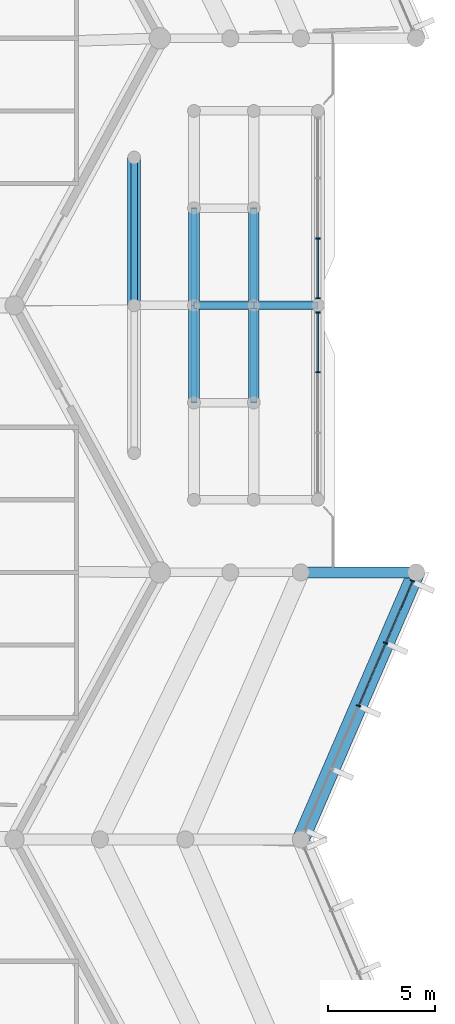
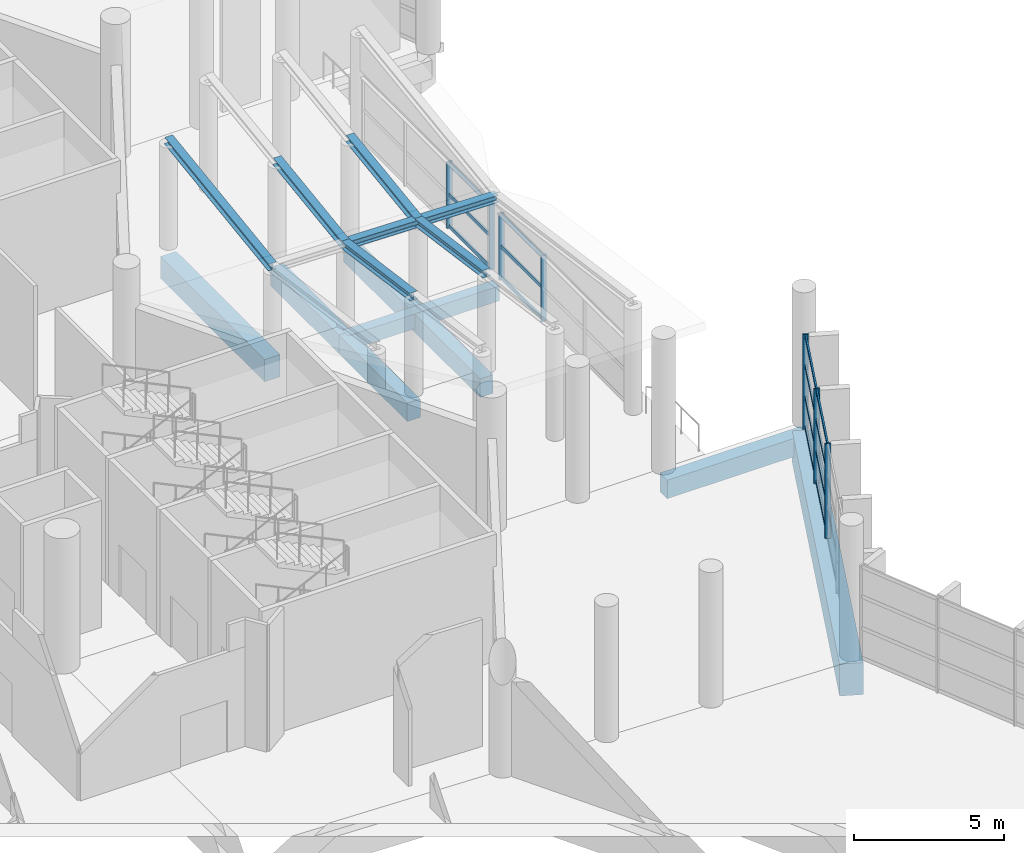
# One storey, part 66 of 271: 21 members, 16 beams, 3 elements without a shape of their own.
"""IFC4 building model written with IfcOpenShell, lengths in metres."""

import ifcopenshell
import ifcopenshell.guid

model = None  # the IFC model being written
_history = None  # IfcOwnerHistory: only IFC2X3 demands one
_inside = {}  # id of a spatial element -> (the spatial element, [elements in it])
_under = {}  # id of a project, library or spatial element -> (it, [spatial elements below it])
_declared = {}  # id of a project -> (the project, [libraries it declares])
_typed = {}  # id of a type object -> (the type object, [elements of that type])
_made_of = {}  # id of a material, layer set ... -> (it, [elements and type objects made of it])


def new_model(schema):
    """Start an empty IFC model of exactly this schema.

    Asked for "IFC4X3", IfcOpenShell would pick the latest addendum, in which some entities
    have other attributes; the version numbers below select the first issue.
    IFC2X3 requires an IfcOwnerHistory on every rooted entity: one is made here for all.
    """
    global model, _history
    if schema == "IFC4X3":
        model = ifcopenshell.file(schema_version=(4, 3, 0, 0))
    else:
        model = ifcopenshell.file(schema=schema)
    _inside.clear()
    _under.clear()
    _declared.clear()
    _typed.clear()
    _made_of.clear()
    _history = None
    if model.schema == "IFC2X3":
        org = make("IfcOrganization", Name="unknown")
        user = make(
            "IfcPersonAndOrganization",
            ThePerson=make("IfcPerson", FamilyName="unknown"),
            TheOrganization=org,
        )
        app = make(
            "IfcApplication",
            ApplicationDeveloper=org,
            Version="unknown",
            ApplicationFullName="unknown",
            ApplicationIdentifier="unknown",
        )
        _history = make(
            "IfcOwnerHistory",
            OwningUser=user,
            OwningApplication=app,
            ChangeAction="ADDED",
            CreationDate=0,
        )
    return model


def make(cls, **values):
    """One entity of the class cls with the attributes given. An attribute that is None is left unset."""
    return model.create_entity(
        cls, **{name: value for name, value in values.items() if value is not None}
    )


def rooted(cls, **values):
    """An entity with a GlobalId (a new one), such as an element, a storey or a relation."""
    return make(cls, GlobalId=ifcopenshell.guid.new(), OwnerHistory=_history, **values)


def si_unit(unit_type, name, prefix=None):
    """IfcSIUnit, for example si_unit("LENGTHUNIT", "METRE", prefix="MILLI")."""
    return make("IfcSIUnit", UnitType=unit_type, Prefix=prefix, Name=name)


def assignment(units):
    """IfcUnitAssignment: the units of a project."""
    return None if units is None else make("IfcUnitAssignment", Units=units)


def point(xyz):
    """IfcCartesianPoint."""
    return None if xyz is None else make("IfcCartesianPoint", Coordinates=xyz)


def direction(xyz):
    """IfcDirection."""
    return None if xyz is None else make("IfcDirection", DirectionRatios=xyz)


def frame(location, z_axis=None, x_axis=None):
    """IfcAxis2Placement3D, a coordinate frame: its origin and axes. An axis left out is left unset."""
    return make(
        "IfcAxis2Placement3D",
        Location=point(location),
        Axis=direction(z_axis),
        RefDirection=direction(x_axis),
    )


def frame_2d(location, x_axis=None):
    """IfcAxis2Placement2D, a coordinate frame in the plane: its origin and x axis."""
    return make(
        "IfcAxis2Placement2D", Location=point(location), RefDirection=direction(x_axis)
    )


def origin():
    """The frame at (0, 0, 0) with its axes left unset."""
    return frame((0.0, 0.0, 0.0))


def origin_2d():
    """The frame at (0, 0) in the plane with its x axis left unset."""
    return frame_2d((0.0, 0.0))


def place(relative_to, where):
    """IfcLocalPlacement: puts the frame where relative to a parent placement (None: the world)."""
    return make(
        "IfcLocalPlacement", PlacementRelTo=relative_to, RelativePlacement=where
    )


def context(
    kind, dimensions, precision=None, world=None, true_north=None, identifier=None
):
    """IfcGeometricRepresentationContext, for example the 3D "Model" context."""
    return make(
        "IfcGeometricRepresentationContext",
        ContextIdentifier=identifier,
        ContextType=kind,
        CoordinateSpaceDimension=dimensions,
        Precision=precision,
        WorldCoordinateSystem=world,
        TrueNorth=true_north,
    )


def subcontext(parent, identifier, kind, view, scale=None):
    """IfcGeometricRepresentationSubContext, for example "Body" below "Model"."""
    return make(
        "IfcGeometricRepresentationSubContext",
        ContextIdentifier=identifier,
        ContextType=kind,
        ParentContext=parent,
        TargetScale=scale,
        TargetView=view,
    )


def project(units=None, contexts=None):
    """IfcProject with its units and contexts."""
    return rooted(
        "IfcProject",
        Name="project",
        RepresentationContexts=contexts,
        UnitsInContext=assignment(units),
    )


def spatial(cls, under=None, at=None, **own):
    """A site, building, storey or space (cls), placed at a placement, below another one or the project."""
    s = rooted(cls, ObjectPlacement=at, **own)
    if under is not None:
        _under.setdefault(under.id(), (under, []))[1].append(s)
    return s


def profile(cls, at=None, kind="AREA", **sizes):
    """A parametric profile (cls). Its sizes go by their IFC names, for example OverallWidth=200.0."""
    return make(cls, ProfileType=kind, Position=at, **sizes)


def rectangle(**sizes):
    """IfcRectangleProfileDef."""
    return profile("IfcRectangleProfileDef", **sizes)


def i_section(**sizes):
    """IfcIShapeProfileDef."""
    return profile("IfcIShapeProfileDef", **sizes)


def extrude(swept, where, along, depth):
    """IfcExtrudedAreaSolid: the profile swept, set in the frame where, extruded along a direction by depth."""
    return make(
        "IfcExtrudedAreaSolid",
        SweptArea=swept,
        Position=where,
        ExtrudedDirection=direction(along),
        Depth=depth,
    )


def shape(context_of_items, identifier, shape_type, items):
    """IfcShapeRepresentation: the items that make up one representation, for example the "Body"."""
    return make(
        "IfcShapeRepresentation",
        ContextOfItems=context_of_items,
        RepresentationIdentifier=identifier,
        RepresentationType=shape_type,
        Items=items,
    )


def material(Name=None, Category=None):
    """IfcMaterial."""
    return make("IfcMaterial", Name=Name, Category=Category)


def layer(
    of_material, thickness, ventilated=None, Name=None, Category=None, Priority=None
):
    """IfcMaterialLayer: one layer of a wall or slab, of a material (None: an air gap)."""
    return make(
        "IfcMaterialLayer",
        Material=of_material,
        LayerThickness=thickness,
        IsVentilated=ventilated,
        Name=Name,
        Category=Category,
        Priority=Priority,
    )


def layer_set(layers, Name=None):
    """IfcMaterialLayerSet."""
    return make("IfcMaterialLayerSet", MaterialLayers=layers, LayerSetName=Name)


def material_profile(
    of_material, cross_section, Name=None, Category=None, Priority=None
):
    """IfcMaterialProfile: a cross section and its material."""
    return make(
        "IfcMaterialProfile",
        Name=Name,
        Material=of_material,
        Profile=cross_section,
        Priority=Priority,
        Category=Category,
    )


def profile_set(profiles, Name=None, composite=None):
    """IfcMaterialProfileSet."""
    return make(
        "IfcMaterialProfileSet",
        Name=Name,
        MaterialProfiles=profiles,
        CompositeProfile=composite,
    )


def made_of(thing, what):
    """Note that an element or type object is made of a material, layer set ...; save() writes the relation."""
    if what is not None:
        _made_of.setdefault(what.id(), (what, []))[1].append(thing)
    return thing


def type_object(cls, material=None, **own):
    """A type object (cls), such as IfcWallType, which elements share."""
    return made_of(rooted(cls, **own), material)


def element(
    cls,
    number,
    at=None,
    inside=None,
    cuts=None,
    type_object=None,
    material=None,
    context=None,
    identifier="Body",
    shape_type=None,
    held_by="IfcProductDefinitionShape",
    body=None,
    shapes=None,
    **own,
):
    """One element of the class cls, such as IfcWall. Its Tag is "e" and its number.

    at: its placement. inside: the storey or other place that contains it. cuts: it is an
    opening in that element (IfcRelVoidsElement). A single representation is given by context,
    identifier, shape_type and body (its items); several are given by shapes. held_by: the class
    of the entity that holds the representations. save() writes the other relations.
    """
    e = rooted(cls, Tag="e%d" % number, ObjectPlacement=at, **own)
    if body is not None:
        shapes = [shape(context, identifier, shape_type, body)]
    if shapes is not None:
        e.Representation = make(held_by, Representations=shapes)
    if inside is not None:
        _inside.setdefault(inside.id(), (inside, []))[1].append(e)
    if cuts is not None:
        rooted(
            "IfcRelVoidsElement", RelatingBuildingElement=cuts, RelatedOpeningElement=e
        )
    if type_object is not None:
        _typed.setdefault(type_object.id(), (type_object, []))[1].append(e)
    return made_of(e, material)


def aggregate(whole, parts):
    """IfcRelAggregates: a whole, such as a stair, and the parts it consists of."""
    return rooted("IfcRelAggregates", RelatingObject=whole, RelatedObjects=parts)


def save(model, path):
    """Write the relations noted so far, then the file.

    IfcRelAggregates (storeys below a building ...), IfcRelContainedInSpatialStructure (elements
    in a storey), IfcRelDefinesByType, IfcRelAssociatesMaterial and IfcRelDeclares: one each for
    every whole, place, type object, material and project.
    """
    for whole, parts in _under.values():
        aggregate(whole, parts)
    for where, things in _inside.values():
        rooted(
            "IfcRelContainedInSpatialStructure",
            RelatedElements=things,
            RelatingStructure=where,
        )
    for kind, things in _typed.values():
        rooted("IfcRelDefinesByType", RelatedObjects=things, RelatingType=kind)
    for what, things in _made_of.values():
        rooted("IfcRelAssociatesMaterial", RelatedObjects=things, RelatingMaterial=what)
    for by, libraries in _declared.values():
        rooted("IfcRelDeclares", RelatingContext=by, RelatedDefinitions=libraries)
    model.write(path)


model = new_model("IFC4")

# Units and contexts
model_context = context("Model", 3, precision=1e-05, world=origin(), true_north=direction((0.0, 1.0)))
body_context = subcontext(model_context, "Body", "Model", "MODEL_VIEW")
ifc_project = project(units=[si_unit("LENGTHUNIT", "METRE"), si_unit("AREAUNIT", "SQUARE_METRE"), si_unit("VOLUMEUNIT", "CUBIC_METRE"), si_unit("PLANEANGLEUNIT", "RADIAN"), si_unit("MASSUNIT", "GRAM", prefix="KILO")], contexts=[model_context])

# Site, building, storey
site_placement = place(None, origin())
site = spatial("IfcSite", under=ifc_project, at=site_placement, CompositionType="ELEMENT")
building_placement = place(site_placement, origin())
building = spatial("IfcBuilding", under=site, at=building_placement, Name="Meseta Stadium", CompositionType="ELEMENT")
storey_placement = place(building_placement, frame((0.0, 0.0, 6.5)))
storey = spatial("IfcBuildingStorey", under=building, at=storey_placement, Name="L01", CompositionType="ELEMENT", Elevation=6.5)

# Beams
ifc_material_1 = material(Name="Steel S355", Category="steel")
ifc_material_profile_1 = material_profile(ifc_material_1, i_section(OverallWidth=0.300048828125, OverallDepth=0.300048828125, WebThickness=0.010986328125, FlangeThickness=0.01904296875, FilletRadius=0.027099609375, at=origin_2d()), Name="HEB 300")
ifc_profile_set_1 = profile_set([ifc_material_profile_1], Name="Steel S355")
beam_type_1 = type_object("IfcBeamType", Name="Gate roof beam HEB 300", PredefinedType="BEAM", material=ifc_profile_set_1)
beam_1_placement = place(storey_placement, frame((103.0, 6.25, 3.27197265625), z_axis=(0.999800721691, 0.0, -0.019962888244), x_axis=(0.0, 1.0, 0.0)))
element("IfcBeam", 1, at=beam_1_placement, inside=storey, type_object=beam_type_1, Name="Gate 1 valley beam", PredefinedType="BEAM", context=body_context, shape_type="SweptSolid", body=[
    extrude(i_section(OverallWidth=0.300048828125, OverallDepth=0.300048828125, WebThickness=0.010986328125, FlangeThickness=0.01904296875, FilletRadius=0.027099609375, at=origin_2d()), origin(), (0.0, 0.0, 1.0), 2.800537109375),
])
beam_2_placement = place(storey_placement, frame((105.800048828125, 6.25, 3.216064453125), z_axis=(0.999799669399, 0.0, -0.020015520725), x_axis=(0.0, 1.0, 0.0)))
element("IfcBeam", 2, at=beam_2_placement, inside=storey, type_object=beam_type_1, Name="Gate 1 valley beam", PredefinedType="BEAM", context=body_context, shape_type="SweptSolid", body=[
    extrude(i_section(OverallWidth=0.300048828125, OverallDepth=0.300048828125, WebThickness=0.010986328125, FlangeThickness=0.01904296875, FilletRadius=0.027099609375, at=origin_2d()), origin(), (0.0, 0.0, 1.0), 3.00048828125),
])
ifc_material_2 = material(Name="Steel S355", Category="steel")
ifc_material_profile_2 = material_profile(ifc_material_2, i_section(OverallWidth=0.300048828125, OverallDepth=0.300048828125, WebThickness=0.010986328125, FlangeThickness=0.01904296875, FilletRadius=0.027099609375, at=origin_2d()), Name="HEB 300")
ifc_profile_set_2 = profile_set([ifc_material_profile_2], Name="Steel S355")
beam_type_2 = type_object("IfcBeamType", Name="Gate roof beam HEB 300 rafter", PredefinedType="BEAM", material=ifc_profile_set_2)
beam_3_placement = place(storey_placement, frame((100.199951171875, 6.25, 3.327880859375), z_axis=(0.0, 0.990340594816, 0.138656071844), x_axis=(-1.0, 0.0, 0.0)))
element("IfcBeam", 3, at=beam_3_placement, inside=storey, type_object=beam_type_2, Name="Gate 1 roof rafter", PredefinedType="BEAM", context=body_context, shape_type="SweptSolid", body=[
    extrude(i_section(OverallWidth=0.300048828125, OverallDepth=0.300048828125, WebThickness=0.010986328125, FlangeThickness=0.01904296875, FilletRadius=0.027099609375, at=origin_2d()), origin(), (0.0, 0.0, 1.0), 6.98486328125),
])
for number, where, z_axis, x_axis, name in (
    (4, (103.0, 1.699951171875, 3.908935546875), (0.0, 0.99034305998, -0.138638463459), (-1.0, 0.0, 0.0), "Gate 1 roof rafter"),
    (5, (103.0, 6.25, 3.27197265625), (0.0, 0.99034305998, 0.138638463459), (-1.0, 0.0, 0.0), "Gate 1 roof rafter"),
    (6, (105.800048828125, 1.699951171875, 3.85302734375), (0.0, 0.99034305998, -0.138638463459), (-1.0, 0.0, 0.0), "Gate 1 roof rafter"),
    (7, (105.800048828125, 6.25, 3.216064453125), (0.0, 0.99034305998, 0.138638463459), (-1.0, 0.0, 0.0), "Gate 1 roof rafter"),
):
    element("IfcBeam", number, at=place(storey_placement, frame(where, z_axis=z_axis, x_axis=x_axis)), inside=storey, type_object=beam_type_2, Name=name, PredefinedType="BEAM", context=body_context, shape_type="SweptSolid", body=[
        extrude(i_section(OverallWidth=0.300048828125, OverallDepth=0.300048828125, WebThickness=0.010986328125, FlangeThickness=0.01904296875, FilletRadius=0.027099609375, at=origin_2d()), origin(), (0.0, 0.0, 1.0), 4.594482421875),
    ])
ifc_material_3 = material(Name="Concrete C40/50", Category="concrete")
ifc_material_profile_3 = material_profile(ifc_material_3, rectangle(XDim=0.39990234375, YDim=0.60009765625, at=origin_2d()), Name="RC 400x600")
ifc_profile_set_3 = profile_set([ifc_material_profile_3], Name="Concrete C40/50")
beam_type_3 = type_object("IfcBeamType", Name="RC beam 400x600", PredefinedType="BEAM", material=ifc_profile_set_3)
beam_4_placement = place(storey_placement, frame((103.0, 6.25, -0.64990234375), z_axis=(1.0, 0.0, 0.0), x_axis=(0.0, 1.0, 0.0)))
element("IfcBeam", 8, at=beam_4_placement, inside=storey, type_object=beam_type_3, Name="Gate 1 floor beam", PredefinedType="BEAM", context=body_context, shape_type="SweptSolid", body=[
    extrude(rectangle(XDim=0.39990234375, YDim=0.60009765625, at=origin_2d()), origin(), (0.0, 0.0, 1.0), 2.800048828125),
])
beam_5_placement = place(storey_placement, frame((105.800048828125, 6.25, -0.64990234375), z_axis=(1.0, 0.0, 0.0), x_axis=(0.0, 1.0, 0.0)))
element("IfcBeam", 9, at=beam_5_placement, inside=storey, type_object=beam_type_3, Name="Gate 1 floor beam", PredefinedType="BEAM", context=body_context, shape_type="SweptSolid", body=[
    extrude(rectangle(XDim=0.39990234375, YDim=0.60009765625, at=origin_2d()), origin(), (0.0, 0.0, 1.0), 3.0),
])
ifc_material_4 = material(Name="Concrete C40/50", Category="concrete")
ifc_material_profile_4 = material_profile(ifc_material_4, rectangle(XDim=0.5, YDim=0.75, at=origin_2d()), Name="RC 500x750")
ifc_profile_set_4 = profile_set([ifc_material_profile_4], Name="Concrete C40/50")
beam_type_4 = type_object("IfcBeamType", Name="RC beam 500x750", PredefinedType="BEAM", material=ifc_profile_set_4)
beam_6_placement = place(storey_placement, frame((108.0, -6.25, -0.72509765625), z_axis=(1.0, 0.0, 0.0), x_axis=(0.0, 1.0, 0.0)))
element("IfcBeam", 10, at=beam_6_placement, inside=storey, type_object=beam_type_4, Name="L01 radial beam frame 4 line Q to O", PredefinedType="BEAM", context=body_context, shape_type="SweptSolid", body=[
    extrude(rectangle(XDim=0.5, YDim=0.75, at=origin_2d()), origin(), (0.0, 0.0, 1.0), 5.39990234375),
])
for number, where, z_axis, x_axis, name in (
    (11, (103.0, 1.699951171875, -0.72509765625), (0.0, 1.0, 0.0), (-1.0, 0.0, 0.0), "Gate 1 floor beam"),
    (12, (103.0, 6.25, -0.72509765625), (0.0, 1.0, 0.0), (-1.0, 0.0, 0.0), "Gate 1 floor beam"),
    (13, (105.800048828125, 1.699951171875, -0.72509765625), (0.0, 1.0, 0.0), (-1.0, 0.0, 0.0), "Gate 1 floor beam"),
    (14, (105.800048828125, 6.25, -0.72509765625), (0.0, 1.0, 0.0), (-1.0, 0.0, 0.0), "Gate 1 floor beam"),
):
    element("IfcBeam", number, at=place(storey_placement, frame(where, z_axis=z_axis, x_axis=x_axis)), inside=storey, type_object=beam_type_4, Name=name, PredefinedType="BEAM", context=body_context, shape_type="SweptSolid", body=[
        extrude(rectangle(XDim=0.5, YDim=0.75, at=origin_2d()), origin(), (0.0, 0.0, 1.0), 4.550048828125),
    ])
ifc_material_5 = material(Name="Concrete C40/50", Category="concrete")
ifc_material_profile_5 = material_profile(ifc_material_5, rectangle(XDim=0.60009765625, YDim=0.89990234375, at=origin_2d()), Name="RC 600x900")
ifc_profile_set_5 = profile_set([ifc_material_profile_5], Name="Concrete C40/50")
beam_type_5 = type_object("IfcBeamType", Name="RC beam 600x900", PredefinedType="BEAM", material=ifc_profile_set_5)
beam_7_placement = place(storey_placement, frame((100.199951171875, 6.25, -0.800048828125), z_axis=(0.0, 1.0, 0.0), x_axis=(-1.0, 0.0, 0.0)))
element("IfcBeam", 15, at=beam_7_placement, inside=storey, type_object=beam_type_5, Name="Gate 1 floor beam", PredefinedType="BEAM", context=body_context, shape_type="SweptSolid", body=[
    extrude(rectangle(XDim=0.60009765625, YDim=0.89990234375, at=origin_2d()), origin(), (0.0, 0.0, 1.0), 6.91748046875),
])
ifc_material_6 = material(Name="Concrete C40/50", Category="concrete")
ifc_material_profile_6 = material_profile(ifc_material_6, rectangle(XDim=0.800048828125, YDim=1.300048828125, at=origin_2d()), Name="RC 800x1300")
ifc_profile_set_6 = profile_set([ifc_material_profile_6], Name="Concrete C40/50")
beam_type_6 = type_object("IfcBeamType", Name="RC beam 800x1300", PredefinedType="BEAM", material=ifc_profile_set_6)
beam_8_placement = place(storey_placement, frame((108.0, -18.75, -1.0), z_axis=(0.396570645327, 0.918004206562, 0.0), x_axis=(-0.918004206562, 0.396570645327, 0.0)))
element("IfcBeam", 16, at=beam_8_placement, inside=storey, type_object=beam_type_6, Name="L01 ring beam frame 3 line O", PredefinedType="BEAM", context=body_context, shape_type="SweptSolid", body=[
    extrude(rectangle(XDim=0.800048828125, YDim=1.300048828125, at=origin_2d()), origin(), (0.0, 0.0, 1.0), 13.616455078125),
])

# Curtain wall, members
ifc_material_7 = material(Name="Aluminium", Category="aluminium")
ifc_layer_1 = layer(ifc_material_7, 0.199951171875)
ifc_layer_set_1 = layer_set([ifc_layer_1], Name="Ring shopfront curtain wall")
curtain_wall_type_1 = type_object("IfcCurtainWallType", Name="Ring shopfront curtain wall", PredefinedType="NOTDEFINED", material=ifc_layer_set_1)
curtain_wall_1_placement = place(storey_placement, origin())
curtain_wall_1 = element("IfcCurtainWall", 17, at=curtain_wall_1_placement, inside=storey, type_object=curtain_wall_type_1, Name="Ring glazing L01 F03", PredefinedType="NOTDEFINED")
ifc_material_8 = material(Name="Aluminium", Category="aluminium")
ifc_material_profile_7 = material_profile(ifc_material_8, rectangle(XDim=0.199951171875, YDim=0.06005859375, at=origin_2d()), Name="CW 200x60")
ifc_profile_set_7 = profile_set([ifc_material_profile_7], Name="Aluminium")
member_type_1 = type_object("IfcMemberType", Name="Ring CW mullion 60x200", PredefinedType="MULLION", material=ifc_profile_set_7)
member_1_placement = place(storey_placement, frame((110.699951171875, -12.5, 0.0), z_axis=(0.0, 0.0, 1.0), x_axis=(-0.91799986854, 0.396580687073, 0.0)))
member_1 = element("IfcMember", 18, at=member_1_placement, type_object=member_type_1, Name="CWR1 mullion 3", PredefinedType="MULLION", context=body_context, shape_type="SweptSolid", body=[
    extrude(rectangle(XDim=0.199951171875, YDim=0.06005859375, at=origin_2d()), origin(), (0.0, 0.0, 1.0), 3.85009765625),
])
member_2_placement = place(storey_placement, frame((111.970703125, -9.55859375, 0.0), z_axis=(0.0, 0.0, 1.0), x_axis=(-0.91799986854, 0.396580687073, 0.0)))
member_2 = element("IfcMember", 19, at=member_2_placement, type_object=member_type_1, Name="CWR1 mullion 4", PredefinedType="MULLION", context=body_context, shape_type="SweptSolid", body=[
    extrude(rectangle(XDim=0.199951171875, YDim=0.06005859375, at=origin_2d()), origin(), (0.0, 0.0, 1.0), 3.85009765625),
])
member_3_placement = place(storey_placement, frame((113.2294921875, -6.644775390625, 0.0), z_axis=(0.0, 0.0, 1.0), x_axis=(-0.91799986854, 0.396580687073, 0.0)))
member_3 = element("IfcMember", 20, at=member_3_placement, type_object=member_type_1, Name="CWR1 mullion 5", PredefinedType="MULLION", context=body_context, shape_type="SweptSolid", body=[
    extrude(rectangle(XDim=0.199951171875, YDim=0.06005859375, at=origin_2d()), origin(), (0.0, 0.0, 1.0), 3.85009765625),
])

ifc_material_9 = material(Name="Aluminium", Category="aluminium")
ifc_layer_2 = layer(ifc_material_9, 0.199951171875)
ifc_layer_set_2 = layer_set([ifc_layer_2], Name="Gate hall curtain wall")
curtain_wall_type_2 = type_object("IfcCurtainWallType", Name="Gate hall curtain wall", PredefinedType="NOTDEFINED", material=ifc_layer_set_2)
curtain_wall_2_placement = place(storey_placement, origin())
curtain_wall_2 = element("IfcCurtainWall", 21, at=curtain_wall_2_placement, inside=storey, type_object=curtain_wall_type_2, Name="Gate 1 hall glazing", PredefinedType="NOTDEFINED")
member_4_placement = place(storey_placement, frame((108.800048828125, 5.919921875, 0.0), z_axis=(0.0, 0.0, 1.0), x_axis=(1.0, 0.0, 0.0)))
member_4 = element("IfcMember", 22, at=member_4_placement, type_object=member_type_1, Name="CWG1 mullion 1", PredefinedType="MULLION", context=body_context, shape_type="SweptSolid", body=[
    extrude(rectangle(XDim=0.199951171875, YDim=0.06005859375, at=origin_2d()), origin(), (0.0, 0.0, 1.0), 2.696044921875),
])
member_5_placement = place(storey_placement, frame((108.800048828125, 3.11669921875, 0.0), z_axis=(0.0, 0.0, 1.0), x_axis=(1.0, 0.0, 0.0)))
member_5 = element("IfcMember", 23, at=member_5_placement, type_object=member_type_1, Name="CWG1 mullion 2", PredefinedType="MULLION", context=body_context, shape_type="SweptSolid", body=[
    extrude(rectangle(XDim=0.199951171875, YDim=0.06005859375, at=origin_2d()), origin(), (0.0, 0.0, 1.0), 2.696044921875),
])

curtain_wall_3_placement = place(storey_placement, origin())
curtain_wall_3 = element("IfcCurtainWall", 24, at=curtain_wall_3_placement, inside=storey, type_object=curtain_wall_type_2, Name="Gate 1 hall glazing", PredefinedType="NOTDEFINED")
member_6_placement = place(storey_placement, frame((108.800048828125, 9.38330078125, 0.0), z_axis=(0.0, 0.0, 1.0), x_axis=(1.0, 0.0, 0.0)))
member_6 = element("IfcMember", 25, at=member_6_placement, type_object=member_type_1, Name="CWG1 mullion 3", PredefinedType="MULLION", context=body_context, shape_type="SweptSolid", body=[
    extrude(rectangle(XDim=0.199951171875, YDim=0.06005859375, at=origin_2d()), origin(), (0.0, 0.0, 1.0), 2.696044921875),
])
member_7_placement = place(storey_placement, frame((108.800048828125, 6.580078125, 0.0), z_axis=(0.0, 0.0, 1.0), x_axis=(1.0, 0.0, 0.0)))
member_7 = element("IfcMember", 26, at=member_7_placement, type_object=member_type_1, Name="CWG1 mullion 4", PredefinedType="MULLION", context=body_context, shape_type="SweptSolid", body=[
    extrude(rectangle(XDim=0.199951171875, YDim=0.06005859375, at=origin_2d()), origin(), (0.0, 0.0, 1.0), 2.696044921875),
])

# Member
ifc_material_10 = material(Name="Aluminium", Category="aluminium")
ifc_material_profile_8 = material_profile(ifc_material_10, rectangle(XDim=0.06005859375, YDim=0.14990234375, at=origin_2d()), Name="CW 60x150")
ifc_profile_set_8 = profile_set([ifc_material_profile_8], Name="Aluminium")
member_type_2 = type_object("IfcMemberType", Name="Ring CW transom 60x150", PredefinedType="USERDEFINED", material=ifc_profile_set_8)
member_8_placement = place(storey_placement, frame((110.7119140625, -12.472412109375, 0.074951171875), z_axis=(0.396569883564, 0.918004535637, 0.0), x_axis=(-0.918004535637, 0.396569883564, 0.0)))
member_8 = element("IfcMember", 27, at=member_8_placement, type_object=member_type_2, Name="CWR1 transom 3.1", ObjectType="TRANSOM", PredefinedType="USERDEFINED", context=body_context, shape_type="SweptSolid", body=[
    extrude(rectangle(XDim=0.06005859375, YDim=0.14990234375, at=origin_2d()), origin(), (0.0, 0.0, 1.0), 3.14404296875),
])

member_9_placement = place(storey_placement, frame((110.7119140625, -12.472412109375, 1.283447265625), z_axis=(0.396569883564, 0.918004535637, 0.0), x_axis=(-0.918004535637, 0.396569883564, 0.0)))
member_9 = element("IfcMember", 28, at=member_9_placement, type_object=member_type_2, Name="CWR1 transom 3.2", ObjectType="TRANSOM", PredefinedType="USERDEFINED", context=body_context, shape_type="SweptSolid", body=[
    extrude(rectangle(XDim=0.06005859375, YDim=0.14990234375, at=origin_2d()), origin(), (0.0, 0.0, 1.0), 3.14404296875),
])

member_10_placement = place(storey_placement, frame((110.7119140625, -12.472412109375, 2.566650390625), z_axis=(0.396569883564, 0.918004535637, 0.0), x_axis=(-0.918004535637, 0.396569883564, 0.0)))
member_10 = element("IfcMember", 29, at=member_10_placement, type_object=member_type_2, Name="CWR1 transom 3.3", ObjectType="TRANSOM", PredefinedType="USERDEFINED", context=body_context, shape_type="SweptSolid", body=[
    extrude(rectangle(XDim=0.06005859375, YDim=0.14990234375, at=origin_2d()), origin(), (0.0, 0.0, 1.0), 3.14404296875),
])

member_11_placement = place(storey_placement, frame((110.7119140625, -12.472412109375, 3.77490234375), z_axis=(0.396569883564, 0.918004535637, 0.0), x_axis=(-0.918004535637, 0.396569883564, 0.0)))
member_11 = element("IfcMember", 30, at=member_11_placement, type_object=member_type_2, Name="CWR1 transom 3.4", ObjectType="TRANSOM", PredefinedType="USERDEFINED", context=body_context, shape_type="SweptSolid", body=[
    extrude(rectangle(XDim=0.06005859375, YDim=0.14990234375, at=origin_2d()), origin(), (0.0, 0.0, 1.0), 3.14404296875),
])

member_12_placement = place(storey_placement, frame((111.982666015625, -9.531005859375, 0.074951171875), z_axis=(0.396557660608, 0.91800981575, 0.0), x_axis=(-0.91800981575, 0.396557660608, 0.0)))
member_12 = element("IfcMember", 31, at=member_12_placement, type_object=member_type_2, Name="CWR1 transom 4.1", ObjectType="TRANSOM", PredefinedType="USERDEFINED", context=body_context, shape_type="SweptSolid", body=[
    extrude(rectangle(XDim=0.06005859375, YDim=0.14990234375, at=origin_2d()), origin(), (0.0, 0.0, 1.0), 3.114013671875),
])

member_13_placement = place(storey_placement, frame((111.982666015625, -9.531005859375, 1.283447265625), z_axis=(0.396557660608, 0.91800981575, 0.0), x_axis=(-0.91800981575, 0.396557660608, 0.0)))
member_13 = element("IfcMember", 32, at=member_13_placement, type_object=member_type_2, Name="CWR1 transom 4.2", ObjectType="TRANSOM", PredefinedType="USERDEFINED", context=body_context, shape_type="SweptSolid", body=[
    extrude(rectangle(XDim=0.06005859375, YDim=0.14990234375, at=origin_2d()), origin(), (0.0, 0.0, 1.0), 3.114013671875),
])

member_14_placement = place(storey_placement, frame((111.982666015625, -9.531005859375, 2.566650390625), z_axis=(0.396557660608, 0.91800981575, 0.0), x_axis=(-0.91800981575, 0.396557660608, 0.0)))
member_14 = element("IfcMember", 33, at=member_14_placement, type_object=member_type_2, Name="CWR1 transom 4.3", ObjectType="TRANSOM", PredefinedType="USERDEFINED", context=body_context, shape_type="SweptSolid", body=[
    extrude(rectangle(XDim=0.06005859375, YDim=0.14990234375, at=origin_2d()), origin(), (0.0, 0.0, 1.0), 3.114013671875),
])

member_15_placement = place(storey_placement, frame((111.982666015625, -9.531005859375, 3.77490234375), z_axis=(0.396557660608, 0.91800981575, 0.0), x_axis=(-0.91800981575, 0.396557660608, 0.0)))
member_15 = element("IfcMember", 34, at=member_15_placement, type_object=member_type_2, Name="CWR1 transom 4.4", ObjectType="TRANSOM", PredefinedType="USERDEFINED", context=body_context, shape_type="SweptSolid", body=[
    extrude(rectangle(XDim=0.06005859375, YDim=0.14990234375, at=origin_2d()), origin(), (0.0, 0.0, 1.0), 3.114013671875),
])

aggregate(curtain_wall_1, [member_1, member_2, member_3, member_8, member_9, member_10, member_11, member_12, member_13, member_14, member_15])

member_16_placement = place(storey_placement, frame((108.800048828125, 5.889892578125, 0.074951171875), z_axis=(0.0, -1.0, 0.0), x_axis=(1.0, 0.0, 0.0)))
member_16 = element("IfcMember", 35, at=member_16_placement, type_object=member_type_2, Name="CWG1 transom 1.1", ObjectType="TRANSOM", PredefinedType="USERDEFINED", context=body_context, shape_type="SweptSolid", body=[
    extrude(rectangle(XDim=0.06005859375, YDim=0.14990234375, at=origin_2d()), origin(), (0.0, 0.0, 1.0), 2.7431640625),
])

member_17_placement = place(storey_placement, frame((108.800048828125, 5.889892578125, 1.347900390625), z_axis=(0.0, -1.0, 0.0), x_axis=(1.0, 0.0, 0.0)))
member_17 = element("IfcMember", 36, at=member_17_placement, type_object=member_type_2, Name="CWG1 transom 1.2", ObjectType="TRANSOM", PredefinedType="USERDEFINED", context=body_context, shape_type="SweptSolid", body=[
    extrude(rectangle(XDim=0.06005859375, YDim=0.14990234375, at=origin_2d()), origin(), (0.0, 0.0, 1.0), 2.7431640625),
])

member_18_placement = place(storey_placement, frame((108.800048828125, 5.889892578125, 2.62109375), z_axis=(0.0, -1.0, 0.0), x_axis=(1.0, 0.0, 0.0)))
member_18 = element("IfcMember", 37, at=member_18_placement, type_object=member_type_2, Name="CWG1 transom 1.3", ObjectType="TRANSOM", PredefinedType="USERDEFINED", context=body_context, shape_type="SweptSolid", body=[
    extrude(rectangle(XDim=0.06005859375, YDim=0.14990234375, at=origin_2d()), origin(), (0.0, 0.0, 1.0), 2.7431640625),
])

aggregate(curtain_wall_2, [member_4, member_5, member_16, member_17, member_18])

member_19_placement = place(storey_placement, frame((108.800048828125, 9.353271484375, 0.074951171875), z_axis=(0.0, -1.0, 0.0), x_axis=(1.0, 0.0, 0.0)))
member_19 = element("IfcMember", 38, at=member_19_placement, type_object=member_type_2, Name="CWG1 transom 3.1", ObjectType="TRANSOM", PredefinedType="USERDEFINED", context=body_context, shape_type="SweptSolid", body=[
    extrude(rectangle(XDim=0.06005859375, YDim=0.14990234375, at=origin_2d()), origin(), (0.0, 0.0, 1.0), 2.7431640625),
])

member_20_placement = place(storey_placement, frame((108.800048828125, 9.353271484375, 1.347900390625), z_axis=(0.0, -1.0, 0.0), x_axis=(1.0, 0.0, 0.0)))
member_20 = element("IfcMember", 39, at=member_20_placement, type_object=member_type_2, Name="CWG1 transom 3.2", ObjectType="TRANSOM", PredefinedType="USERDEFINED", context=body_context, shape_type="SweptSolid", body=[
    extrude(rectangle(XDim=0.06005859375, YDim=0.14990234375, at=origin_2d()), origin(), (0.0, 0.0, 1.0), 2.7431640625),
])

member_21_placement = place(storey_placement, frame((108.800048828125, 9.353271484375, 2.62109375), z_axis=(0.0, -1.0, 0.0), x_axis=(1.0, 0.0, 0.0)))
member_21 = element("IfcMember", 40, at=member_21_placement, type_object=member_type_2, Name="CWG1 transom 3.3", ObjectType="TRANSOM", PredefinedType="USERDEFINED", context=body_context, shape_type="SweptSolid", body=[
    extrude(rectangle(XDim=0.06005859375, YDim=0.14990234375, at=origin_2d()), origin(), (0.0, 0.0, 1.0), 2.7431640625),
])

aggregate(curtain_wall_3, [member_6, member_7, member_19, member_20, member_21])

save(model, "model.ifc")
